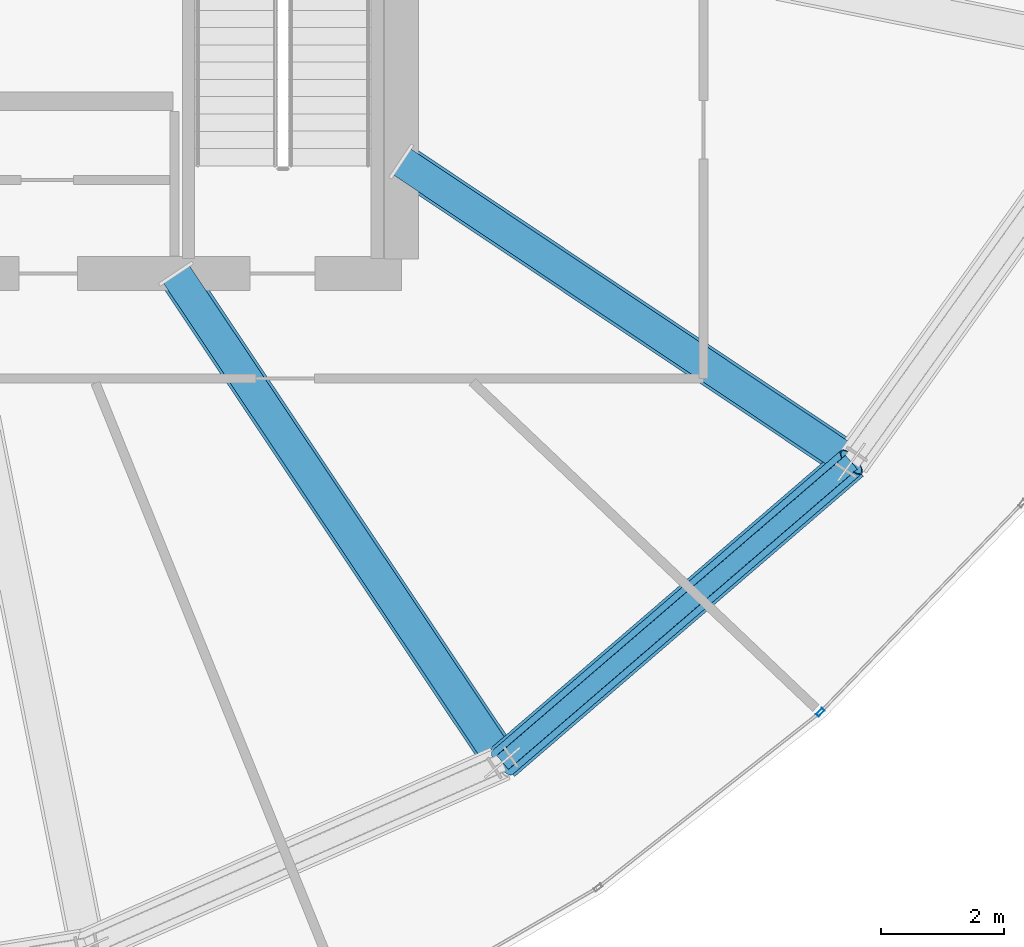
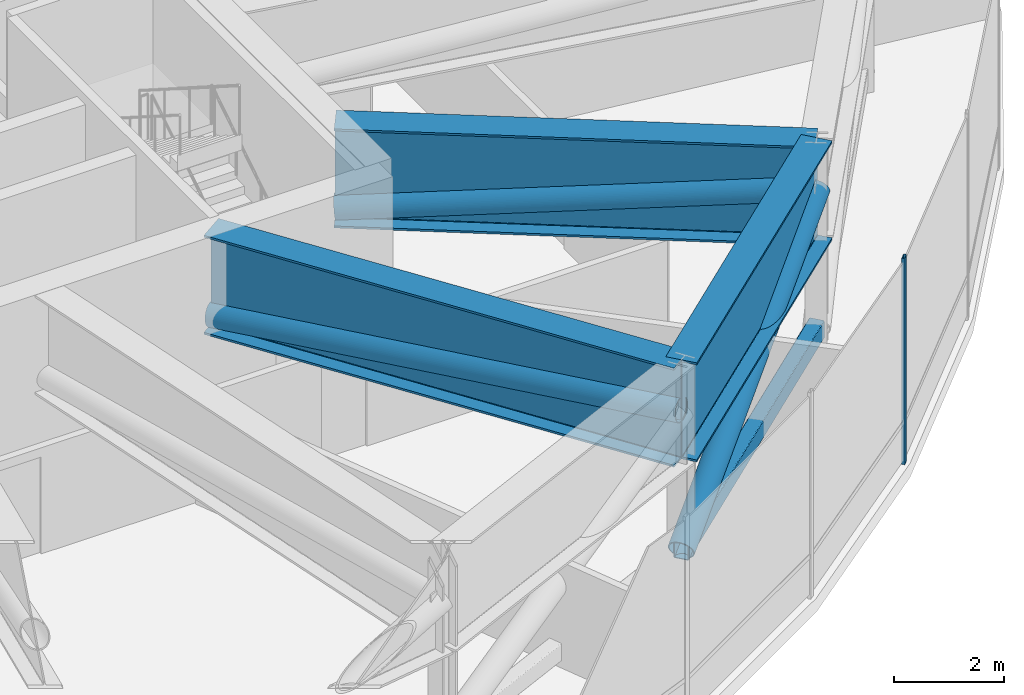
# One storey, part 14 of 30: 5 members, 3 beams, 1 element without a shape of its own.
"""IFC4 building model written with IfcOpenShell, lengths in metres."""

from ifc_helpers import new_model, si_unit, direction, frame, origin, origin_2d, place, context, subcontext, project, spatial, hollow_rectangle, hollow_circle, i_section, extrude, source, transform, mapped, material, layer, layer_set, material_profile, profile_set, type_object, element, aggregate, save


model = new_model("IFC4")

# Units and contexts
model_context = context("Model", 3, precision=1e-05, world=origin(), true_north=direction((0.0, 1.0)))
body_context = subcontext(model_context, "Body", "Model", "MODEL_VIEW")
ifc_project = project(units=[si_unit("LENGTHUNIT", "METRE"), si_unit("AREAUNIT", "SQUARE_METRE"), si_unit("VOLUMEUNIT", "CUBIC_METRE"), si_unit("PLANEANGLEUNIT", "RADIAN"), si_unit("MASSUNIT", "GRAM", prefix="KILO"), si_unit("THERMODYNAMICTEMPERATUREUNIT", "KELVIN")], contexts=[model_context])

# Site, building, storey
site_placement = place(None, origin())
site = spatial("IfcSite", under=ifc_project, at=site_placement, CompositionType="ELEMENT")
building_placement = place(site_placement, origin())
building = spatial("IfcBuilding", under=site, at=building_placement, Name="Kethvar Cultural Tower", CompositionType="ELEMENT")
storey_placement = place(building_placement, frame((0.0, 0.0, 171.39990234375)))
storey = spatial("IfcBuildingStorey", under=building, at=storey_placement, Name="L44", CompositionType="ELEMENT", Elevation=171.39990234375)

# Beam
ifc_material_1 = material(Name="Steel S460M", Category="steel")
ifc_material_profile_1 = material_profile(ifc_material_1, i_section(OverallWidth=0.60009765625, OverallDepth=2.199951171875, WebThickness=0.028076171875, FlangeThickness=0.044921875, FilletRadius=0.02197265625, at=origin_2d()), Name="Steel S460M — PG2200x600x45x28")
ifc_profile_set_1 = profile_set([ifc_material_profile_1], Name="Steel S460M — PG2200x600x45x28")
beam_type = type_object("IfcBeamType", Name="BM-TR2200", PredefinedType="BEAM", material=ifc_profile_set_1)
shared_shape_1 = source(origin(), body_context, "Body", "SweptSolid", [
    extrude(i_section(OverallWidth=0.60009765625, OverallDepth=2.199951171875, WebThickness=0.028076171875, FlangeThickness=0.044921875, FilletRadius=0.02197265625, at=origin_2d()), origin(), (0.0, 0.0, 1.0), 9.534423828125),
])
beam_1_placement = place(storey_placement, frame((51.945068359375, 20.10009765625, 3.47802734375), z_axis=(0.555550817894, -0.831482584747, 0.0), x_axis=(0.831482584747, 0.555550817894, 0.0)))
element("IfcBeam", 1, at=beam_1_placement, inside=storey, type_object=beam_type, Name="L44 Outrigger Transfer Girder OG-14", PredefinedType="BEAM", context=body_context, shape_type="MappedRepresentation", body=[
    mapped(shared_shape_1, transform((0.0, 0.0, 0.0), scale=1.0)),
])

# Member
ifc_material_profile_2 = material_profile(ifc_material_1, hollow_circle(Radius=0.25390625, WallThickness=0.02001953125, at=origin_2d()), Name="Steel S460M — CHS508x20")
ifc_profile_set_2 = profile_set([ifc_material_profile_2], Name="Steel S460M — CHS508x20")
member_type_1 = type_object("IfcMemberType", Name="MB-OUT-508", PredefinedType="BRACE", material=ifc_profile_set_2)
shared_shape_2 = source(origin(), body_context, "Body", "SweptSolid", [
    extrude(hollow_circle(Radius=0.25390625, WallThickness=0.02001953125, at=origin_2d()), origin(), (0.0, 0.0, 1.0), 9.5703125),
])
member_1_placement = place(storey_placement, frame((51.945068359375, 20.10009765625, 2.650146484375), z_axis=(0.553468292626, -0.82836570788, 0.086504930876), x_axis=(0.831482584747, 0.555550817894, 0.0)))
element("IfcMember", 2, at=member_1_placement, inside=storey, type_object=member_type_1, Name="L44 Outrigger Truss Diagonal OB-14", PredefinedType="BRACE", context=body_context, shape_type="MappedRepresentation", body=[
    mapped(shared_shape_2, transform((0.0, 0.0, 0.0), scale=1.0)),
])

# Beam
shared_shape_3 = source(origin(), body_context, "Body", "SweptSolid", [
    extrude(i_section(OverallWidth=0.60009765625, OverallDepth=2.199951171875, WebThickness=0.028076171875, FlangeThickness=0.044921875, FilletRadius=0.02197265625, at=origin_2d()), origin(), (0.0, 0.0, 1.0), 7.46484375),
])
beam_2_placement = place(storey_placement, frame((57.241943359375, 12.17236328125, 3.47802734375), z_axis=(0.757784075291, 0.652505398625, 0.0), x_axis=(-0.652505398625, 0.757784075291, 0.0)))
element("IfcBeam", 3, at=beam_2_placement, inside=storey, type_object=beam_type, Name="L44 Ring Belt Girder BG-14", PredefinedType="BEAM", context=body_context, shape_type="MappedRepresentation", body=[
    mapped(shared_shape_3, transform((0.0, 0.0, 0.0), scale=1.0)),
])

# Members
ifc_material_profile_3 = material_profile(ifc_material_1, hollow_rectangle(XDim=0.300048828125, YDim=0.39990234375, WallThickness=0.01611328125, InnerFilletRadius=0.01611328125, OuterFilletRadius=0.031982421875, at=origin_2d()), Name="Steel S460M — RHS400x300x16")
ifc_profile_set_3 = profile_set([ifc_material_profile_3], Name="Steel S460M — RHS400x300x16")
member_type_2 = type_object("IfcMemberType", Name="MB-CHD-400", PredefinedType="CHORD", material=ifc_profile_set_3)
shared_shape_4 = source(origin(), body_context, "Body", "SweptSolid", [
    extrude(hollow_rectangle(XDim=0.300048828125, YDim=0.39990234375, WallThickness=0.01611328125, InnerFilletRadius=0.01611328125, OuterFilletRadius=0.031982421875, at=origin_2d()), origin(), (0.0, 0.0, 1.0), 7.46484375),
])
member_2_placement = place(storey_placement, frame((57.241943359375, 12.17236328125, 0.35009765625), z_axis=(0.757784075291, 0.652505398625, 0.0), x_axis=(-0.652505398625, 0.757784075291, 0.0)))
element("IfcMember", 4, at=member_2_placement, inside=storey, type_object=member_type_2, Name="L44 Ring Belt Bottom Chord BC-14", PredefinedType="CHORD", context=body_context, shape_type="MappedRepresentation", body=[
    mapped(shared_shape_4, transform((0.0, 0.0, 0.0), scale=1.0)),
])
shared_shape_5 = source(origin(), body_context, "Body", "SweptSolid", [
    extrude(hollow_circle(Radius=0.25390625, WallThickness=0.02001953125, at=origin_2d()), origin(), (0.0, 0.0, 1.0), 8.09375),
])
member_3_placement = place(storey_placement, frame((57.241943359375, 12.17236328125, 0.35009765625), z_axis=(0.698907260321, 0.601808318976, 0.386465248996), x_axis=(-0.652505398625, 0.757784075291, 0.0)))
element("IfcMember", 5, at=member_3_placement, inside=storey, type_object=member_type_1, Name="L44 Ring Belt Diagonal BD-14", PredefinedType="BRACE", context=body_context, shape_type="MappedRepresentation", body=[
    mapped(shared_shape_5, transform((0.0, 0.0, 0.0), scale=1.0)),
])

# Beam
shared_shape_6 = source(origin(), body_context, "Body", "SweptSolid", [
    extrude(i_section(OverallWidth=0.60009765625, OverallDepth=2.199951171875, WebThickness=0.028076171875, FlangeThickness=0.044921875, FilletRadius=0.02197265625, at=origin_2d()), origin(), (0.0, 0.0, 1.0), 8.77783203125),
])
beam_3_placement = place(storey_placement, frame((55.60009765625, 21.919921875, 3.47802734375), z_axis=(0.831472186778, -0.555566380026, 0.0), x_axis=(0.555566380026, 0.831472186778, 0.0)))
element("IfcBeam", 6, at=beam_3_placement, inside=storey, type_object=beam_type, Name="L44 Outrigger Transfer Girder OG-15", PredefinedType="BEAM", context=body_context, shape_type="MappedRepresentation", body=[
    mapped(shared_shape_6, transform((0.0, 0.0, 0.0), scale=1.0)),
])

# Member
shared_shape_7 = source(origin(), body_context, "Body", "SweptSolid", [
    extrude(hollow_circle(Radius=0.25390625, WallThickness=0.02001953125, at=origin_2d()), origin(), (0.0, 0.0, 1.0), 8.81689453125),
])
member_4_placement = place(storey_placement, frame((55.60009765625, 21.919921875, 2.650146484375), z_axis=(0.827798635949, -0.55311181646, 0.093897480331), x_axis=(0.555566380026, 0.831472186778, 0.0)))
element("IfcMember", 7, at=member_4_placement, inside=storey, type_object=member_type_1, Name="L44 Outrigger Truss Diagonal OB-15", PredefinedType="BRACE", context=body_context, shape_type="MappedRepresentation", body=[
    mapped(shared_shape_7, transform((0.0, 0.0, 0.0), scale=1.0)),
])

# Curtain wall, member
ifc_material_2 = material(Name="Aluminium 6063-T6", Category="aluminium")
ifc_layer = layer(ifc_material_2, 0.179931640625, Name="Aluminium 6063-T6", Category="aluminium")
ifc_layer_set = layer_set([ifc_layer], Name="Aluminium 6063-T6 (180 mm)")
curtain_wall_type = type_object("IfcCurtainWallType", Name="CW-SYS-04-Z34", PredefinedType="NOTDEFINED", material=ifc_layer_set)
curtain_wall_placement = place(storey_placement, origin())
curtain_wall = element("IfcCurtainWall", 8, at=curtain_wall_placement, inside=storey, type_object=curtain_wall_type, Name="L44 Curtain Wall Run 05", PredefinedType="NOTDEFINED")
ifc_material_profile_4 = material_profile(ifc_material_2, hollow_rectangle(XDim=0.06005859375, YDim=0.139892578125, WallThickness=0.0048828125, at=origin_2d()), Name="Aluminium 6063-T6 — RHS140x60x5")
ifc_profile_set_4 = profile_set([ifc_material_profile_4], Name="Aluminium 6063-T6 — RHS140x60x5")
member_type_3 = type_object("IfcMemberType", Name="CW-SYS-04-Z34-MUL", PredefinedType="MULLION", material=ifc_profile_set_4)
shared_shape_8 = source(origin(), body_context, "Body", "SweptSolid", [
    extrude(hollow_rectangle(XDim=0.06005859375, YDim=0.139892578125, WallThickness=0.0048828125, at=origin_2d()), origin(), (0.0, 0.0, 1.0), 4.580078125),
])
member_5_placement = place(storey_placement, frame((62.39501953125, 12.986083984375, 0.0), z_axis=(0.0, 0.0, 1.0), x_axis=(-0.719436785932, 0.694557924904, 0.0)))
member_5 = element("IfcMember", 9, at=member_5_placement, type_object=member_type_3, Name="CW-L44-R05 Mullion 5", PredefinedType="MULLION", context=body_context, shape_type="MappedRepresentation", body=[
    mapped(shared_shape_8, transform((0.0, 0.0, 0.0), scale=1.0)),
])
aggregate(curtain_wall, [member_5])

save(model, "model.ifc")
